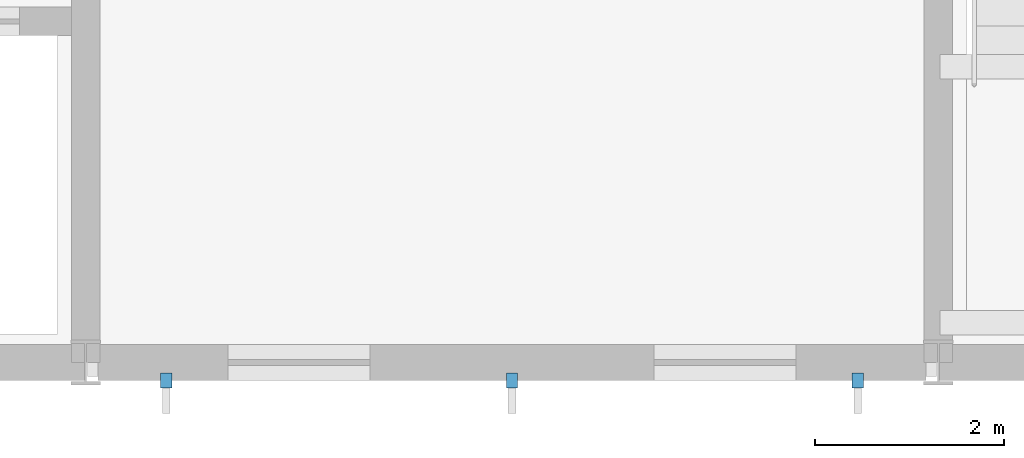
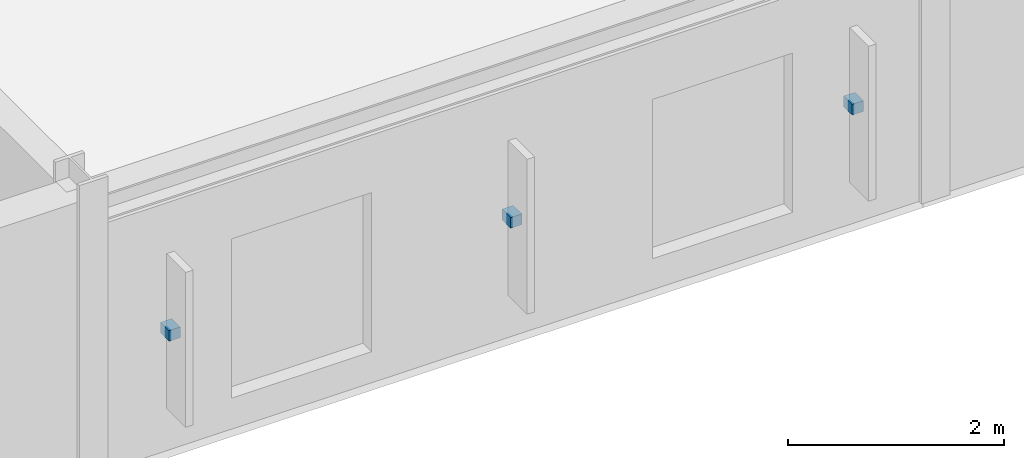
# One storey, part 82 of 91: 3 discrete accessories.
"""IFC4 building model written with IfcOpenShell, lengths in metres."""

from ifc_helpers import new_model, si_unit, direction, frame, origin, origin_2d, place, context, subcontext, project, spatial, rectangle, extrude, material, type_object, element, save


model = new_model("IFC4")

# Units and contexts
model_context = context("Model", 3, precision=1e-05, world=origin(), true_north=direction((0.0, 1.0)))
body_context = subcontext(model_context, "Body", "Model", "MODEL_VIEW")
ifc_project = project(units=[si_unit("LENGTHUNIT", "METRE"), si_unit("AREAUNIT", "SQUARE_METRE"), si_unit("VOLUMEUNIT", "CUBIC_METRE"), si_unit("PLANEANGLEUNIT", "RADIAN"), si_unit("MASSUNIT", "GRAM", prefix="KILO")], contexts=[model_context])

# Site, building, storey
site_placement = place(None, origin())
site = spatial("IfcSite", under=ifc_project, at=site_placement, CompositionType="ELEMENT")
building_placement = place(site_placement, origin())
building = spatial("IfcBuilding", under=site, at=building_placement, Name="Palais des Congres Ocreval", CompositionType="ELEMENT")
storey_placement = place(building_placement, frame((0.0, 0.0, 8.159912109375)))
storey = spatial("IfcBuildingStorey", under=building, at=storey_placement, Name="L02", CompositionType="ELEMENT", Elevation=8.159912109375)

# Discrete accessories
ifc_material = material(Name="Steel S355", Category="steel")
discrete_accessory_type = type_object("IfcDiscreteAccessoryType", Name="Stainless Brise-Soleil Fixing Bracket", PredefinedType="BRACKET", material=ifc_material)
for number, where, z_axis, x_axis, name in (
    (1, (53.14990234375, -0.18994140625, 1.2900390625), (0.0, 0.0, 1.0), (0.0, -1.0, 0.0), "Celosia Fixing Bracket BK01"),
    (2, (49.5, -0.18994140625, 1.2900390625), (0.0, 0.0, 1.0), (0.0, -1.0, 0.0), "Celosia Fixing Bracket BK01"),
    (3, (45.85009765625, -0.18994140625, 1.2900390625), (0.0, 0.0, 1.0), (0.0, -1.0, 0.0), "Celosia Fixing Bracket BK01"),
):
    element("IfcDiscreteAccessory", number, at=place(storey_placement, frame(where, z_axis=z_axis, x_axis=x_axis)), inside=storey, type_object=discrete_accessory_type, Name=name, PredefinedType="BRACKET", context=body_context, shape_type="SweptSolid", body=[
        extrude(rectangle(XDim=0.159912109375, YDim=0.1201171875, at=origin_2d()), origin(), (0.0, 0.0, 1.0), 0.1201171875),
    ])

save(model, "model.ifc")
